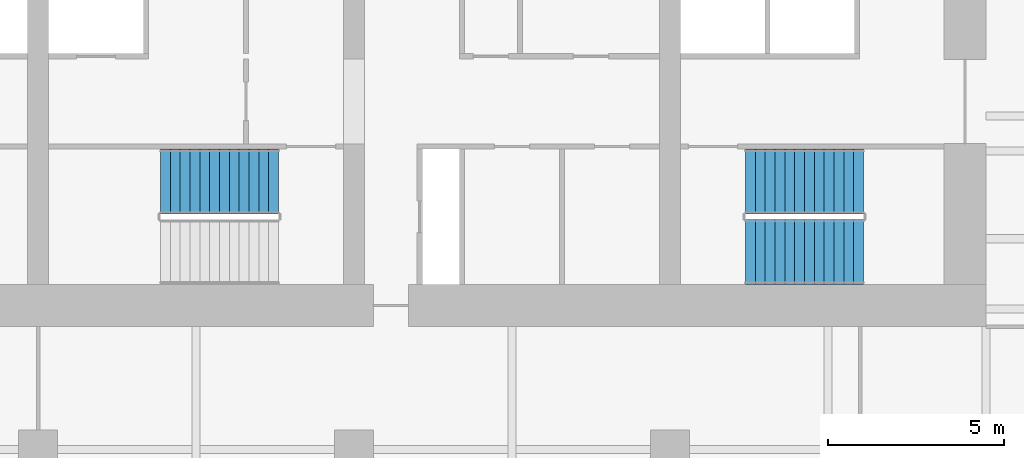
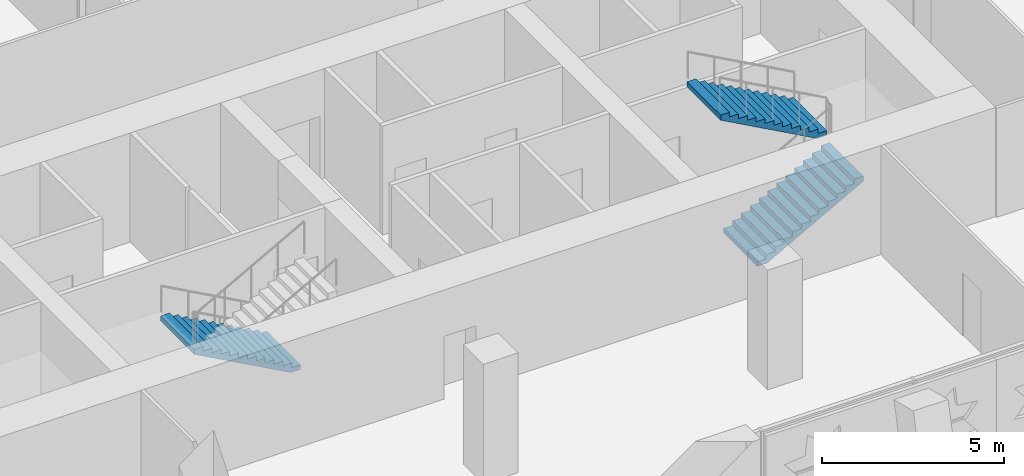
# One storey, part 18 of 26: 3 stair flights, 2 elements without a shape of their own.
"""IFC4 building model written with IfcOpenShell, lengths in metres."""

import ifcopenshell
import ifcopenshell.guid

model = None  # the IFC model being written
_history = None  # IfcOwnerHistory: only IFC2X3 demands one
_inside = {}  # id of a spatial element -> (the spatial element, [elements in it])
_under = {}  # id of a project, library or spatial element -> (it, [spatial elements below it])
_declared = {}  # id of a project -> (the project, [libraries it declares])
_typed = {}  # id of a type object -> (the type object, [elements of that type])
_made_of = {}  # id of a material, layer set ... -> (it, [elements and type objects made of it])


def new_model(schema):
    """Start an empty IFC model of exactly this schema.

    Asked for "IFC4X3", IfcOpenShell would pick the latest addendum, in which some entities
    have other attributes; the version numbers below select the first issue.
    IFC2X3 requires an IfcOwnerHistory on every rooted entity: one is made here for all.
    """
    global model, _history
    if schema == "IFC4X3":
        model = ifcopenshell.file(schema_version=(4, 3, 0, 0))
    else:
        model = ifcopenshell.file(schema=schema)
    _inside.clear()
    _under.clear()
    _declared.clear()
    _typed.clear()
    _made_of.clear()
    _history = None
    if model.schema == "IFC2X3":
        org = make("IfcOrganization", Name="unknown")
        user = make(
            "IfcPersonAndOrganization",
            ThePerson=make("IfcPerson", FamilyName="unknown"),
            TheOrganization=org,
        )
        app = make(
            "IfcApplication",
            ApplicationDeveloper=org,
            Version="unknown",
            ApplicationFullName="unknown",
            ApplicationIdentifier="unknown",
        )
        _history = make(
            "IfcOwnerHistory",
            OwningUser=user,
            OwningApplication=app,
            ChangeAction="ADDED",
            CreationDate=0,
        )
    return model


def make(cls, **values):
    """One entity of the class cls with the attributes given. An attribute that is None is left unset."""
    return model.create_entity(
        cls, **{name: value for name, value in values.items() if value is not None}
    )


def rooted(cls, **values):
    """An entity with a GlobalId (a new one), such as an element, a storey or a relation."""
    return make(cls, GlobalId=ifcopenshell.guid.new(), OwnerHistory=_history, **values)


def si_unit(unit_type, name, prefix=None):
    """IfcSIUnit, for example si_unit("LENGTHUNIT", "METRE", prefix="MILLI")."""
    return make("IfcSIUnit", UnitType=unit_type, Prefix=prefix, Name=name)


def assignment(units):
    """IfcUnitAssignment: the units of a project."""
    return None if units is None else make("IfcUnitAssignment", Units=units)


def point(xyz):
    """IfcCartesianPoint."""
    return None if xyz is None else make("IfcCartesianPoint", Coordinates=xyz)


def direction(xyz):
    """IfcDirection."""
    return None if xyz is None else make("IfcDirection", DirectionRatios=xyz)


def frame(location, z_axis=None, x_axis=None):
    """IfcAxis2Placement3D, a coordinate frame: its origin and axes. An axis left out is left unset."""
    return make(
        "IfcAxis2Placement3D",
        Location=point(location),
        Axis=direction(z_axis),
        RefDirection=direction(x_axis),
    )


def origin():
    """The frame at (0, 0, 0) with its axes left unset."""
    return frame((0.0, 0.0, 0.0))


def place(relative_to, where):
    """IfcLocalPlacement: puts the frame where relative to a parent placement (None: the world)."""
    return make(
        "IfcLocalPlacement", PlacementRelTo=relative_to, RelativePlacement=where
    )


def context(
    kind, dimensions, precision=None, world=None, true_north=None, identifier=None
):
    """IfcGeometricRepresentationContext, for example the 3D "Model" context."""
    return make(
        "IfcGeometricRepresentationContext",
        ContextIdentifier=identifier,
        ContextType=kind,
        CoordinateSpaceDimension=dimensions,
        Precision=precision,
        WorldCoordinateSystem=world,
        TrueNorth=true_north,
    )


def subcontext(parent, identifier, kind, view, scale=None):
    """IfcGeometricRepresentationSubContext, for example "Body" below "Model"."""
    return make(
        "IfcGeometricRepresentationSubContext",
        ContextIdentifier=identifier,
        ContextType=kind,
        ParentContext=parent,
        TargetScale=scale,
        TargetView=view,
    )


def project(units=None, contexts=None):
    """IfcProject with its units and contexts."""
    return rooted(
        "IfcProject",
        Name="project",
        RepresentationContexts=contexts,
        UnitsInContext=assignment(units),
    )


def spatial(cls, under=None, at=None, **own):
    """A site, building, storey or space (cls), placed at a placement, below another one or the project."""
    s = rooted(cls, ObjectPlacement=at, **own)
    if under is not None:
        _under.setdefault(under.id(), (under, []))[1].append(s)
    return s


def polyline(points):
    """IfcPolyline through the points."""
    return make("IfcPolyline", Points=[point(p) for p in points])


def outline(outer, holes=None, kind="AREA"):
    """IfcArbitraryClosedProfileDef: a profile drawn as a closed curve; with holes, ...WithVoids."""
    if holes is None:
        return make("IfcArbitraryClosedProfileDef", ProfileType=kind, OuterCurve=outer)
    return make(
        "IfcArbitraryProfileDefWithVoids",
        ProfileType=kind,
        OuterCurve=outer,
        InnerCurves=holes,
    )


def extrude(swept, where, along, depth):
    """IfcExtrudedAreaSolid: the profile swept, set in the frame where, extruded along a direction by depth."""
    return make(
        "IfcExtrudedAreaSolid",
        SweptArea=swept,
        Position=where,
        ExtrudedDirection=direction(along),
        Depth=depth,
    )


def shape(context_of_items, identifier, shape_type, items):
    """IfcShapeRepresentation: the items that make up one representation, for example the "Body"."""
    return make(
        "IfcShapeRepresentation",
        ContextOfItems=context_of_items,
        RepresentationIdentifier=identifier,
        RepresentationType=shape_type,
        Items=items,
    )


def material(Name=None, Category=None):
    """IfcMaterial."""
    return make("IfcMaterial", Name=Name, Category=Category)


def made_of(thing, what):
    """Note that an element or type object is made of a material, layer set ...; save() writes the relation."""
    if what is not None:
        _made_of.setdefault(what.id(), (what, []))[1].append(thing)
    return thing


def type_object(cls, material=None, **own):
    """A type object (cls), such as IfcWallType, which elements share."""
    return made_of(rooted(cls, **own), material)


def element(
    cls,
    number,
    at=None,
    inside=None,
    cuts=None,
    type_object=None,
    material=None,
    context=None,
    identifier="Body",
    shape_type=None,
    held_by="IfcProductDefinitionShape",
    body=None,
    shapes=None,
    **own,
):
    """One element of the class cls, such as IfcWall. Its Tag is "e" and its number.

    at: its placement. inside: the storey or other place that contains it. cuts: it is an
    opening in that element (IfcRelVoidsElement). A single representation is given by context,
    identifier, shape_type and body (its items); several are given by shapes. held_by: the class
    of the entity that holds the representations. save() writes the other relations.
    """
    e = rooted(cls, Tag="e%d" % number, ObjectPlacement=at, **own)
    if body is not None:
        shapes = [shape(context, identifier, shape_type, body)]
    if shapes is not None:
        e.Representation = make(held_by, Representations=shapes)
    if inside is not None:
        _inside.setdefault(inside.id(), (inside, []))[1].append(e)
    if cuts is not None:
        rooted(
            "IfcRelVoidsElement", RelatingBuildingElement=cuts, RelatedOpeningElement=e
        )
    if type_object is not None:
        _typed.setdefault(type_object.id(), (type_object, []))[1].append(e)
    return made_of(e, material)


def aggregate(whole, parts):
    """IfcRelAggregates: a whole, such as a stair, and the parts it consists of."""
    return rooted("IfcRelAggregates", RelatingObject=whole, RelatedObjects=parts)


def save(model, path):
    """Write the relations noted so far, then the file.

    IfcRelAggregates (storeys below a building ...), IfcRelContainedInSpatialStructure (elements
    in a storey), IfcRelDefinesByType, IfcRelAssociatesMaterial and IfcRelDeclares: one each for
    every whole, place, type object, material and project.
    """
    for whole, parts in _under.values():
        aggregate(whole, parts)
    for where, things in _inside.values():
        rooted(
            "IfcRelContainedInSpatialStructure",
            RelatedElements=things,
            RelatingStructure=where,
        )
    for kind, things in _typed.values():
        rooted("IfcRelDefinesByType", RelatedObjects=things, RelatingType=kind)
    for what, things in _made_of.values():
        rooted("IfcRelAssociatesMaterial", RelatedObjects=things, RelatingMaterial=what)
    for by, libraries in _declared.values():
        rooted("IfcRelDeclares", RelatingContext=by, RelatedDefinitions=libraries)
    model.write(path)


model = new_model("IFC4")

# Units and contexts
model_context = context("Model", 3, precision=1e-05, world=origin(), true_north=direction((0.0, 1.0)))
body_context = subcontext(model_context, "Body", "Model", "MODEL_VIEW")
ifc_project = project(units=[si_unit("LENGTHUNIT", "METRE"), si_unit("AREAUNIT", "SQUARE_METRE"), si_unit("VOLUMEUNIT", "CUBIC_METRE"), si_unit("PLANEANGLEUNIT", "RADIAN"), si_unit("MASSUNIT", "GRAM", prefix="KILO")], contexts=[model_context])

# Site, building, storey
site_placement = place(None, origin())
site = spatial("IfcSite", under=ifc_project, at=site_placement, CompositionType="ELEMENT")
building_placement = place(site_placement, origin())
building = spatial("IfcBuilding", under=site, at=building_placement, Name="Zellij Exchange Tower", CompositionType="ELEMENT")
storey_placement = place(building_placement, frame((0.0, 0.0, 100.5)))
storey = spatial("IfcBuildingStorey", under=building, at=storey_placement, Name="L21", CompositionType="ELEMENT", Elevation=100.5)

# Stair, stair flight
ifc_material = material(Name="Concrete C40/50", Category="concrete")
stair_type = type_object("IfcStairType", Name="CORE-ST exit stair 1850 wide", PredefinedType="HALF_TURN_STAIR", material=ifc_material)
stair_1_placement = place(storey_placement, origin())
stair_1 = element("IfcStair", 1, at=stair_1_placement, inside=storey, type_object=stair_type, Name="L21 exit stair ST3", PredefinedType="HALF_TURN_STAIR")
stair_flight_type = type_object("IfcStairFlightType", Name="CORE-SF flight 1850 riser 153.8 going 280", PredefinedType="STRAIGHT", material=ifc_material)
stair_flight_1_placement = place(storey_placement, frame((6.85009765625, -9.875, 0.0), z_axis=(0.0, 0.0, 1.0), x_axis=(-1.0, 0.0, 0.0)))
stair_flight_1 = element("IfcStairFlight", 2, at=stair_flight_1_placement, type_object=stair_flight_type, Name="ST3 flight 1", NumberOfRisers=13, NumberOfTreads=12, PredefinedType="STRAIGHT", RiserHeight=0.153846154, TreadLength=0.28, context=body_context, shape_type="SweptSolid", body=[
    extrude(outline(polyline([(0.0, 0.0), (0.0, 0.15380859375), (0.280029296875, 0.15380859375), (0.280029296875, 0.3076171875), (0.56005859375, 0.3076171875), (0.56005859375, 0.46142578125), (0.840087890625, 0.46142578125), (0.840087890625, 0.615478515625), (1.1201171875, 0.615478515625), (1.1201171875, 0.769287109375), (1.39990234375, 0.769287109375), (1.39990234375, 0.923095703125), (1.679931640625, 0.923095703125), (1.679931640625, 1.076904296875), (1.9599609375, 1.076904296875), (1.9599609375, 1.230712890625), (2.239990234375, 1.230712890625), (2.239990234375, 1.384521484375), (2.52001953125, 1.384521484375), (2.52001953125, 1.53857421875), (2.800048828125, 1.53857421875), (2.800048828125, 1.6923828125), (3.080078125, 1.6923828125), (3.080078125, 1.84619140625), (3.360107421875, 1.84619140625), (3.360107421875, 2.0), (3.360107421875, 1.675048828125), (0.311279296875, 0.0), (0.0, 0.0)])), frame((0.0, 0.925048828125, 0.0), z_axis=(0.0, -1.0, 0.0), x_axis=(1.0, 0.0, 0.0)), (0.0, 0.0, 1.0), 1.85009765625),
])
aggregate(stair_1, [stair_flight_1])

# Stair, stair flights
stair_2_placement = place(storey_placement, origin())
stair_2 = element("IfcStair", 3, at=stair_2_placement, inside=storey, type_object=stair_type, Name="L21 exit stair ST4", PredefinedType="HALF_TURN_STAIR")
stair_flight_2_placement = place(storey_placement, frame((20.14990234375, -11.875, 0.0), z_axis=(0.0, 0.0, 1.0), x_axis=(1.0, 0.0, 0.0)))
stair_flight_2 = element("IfcStairFlight", 4, at=stair_flight_2_placement, type_object=stair_flight_type, Name="ST4 flight 1", NumberOfRisers=13, NumberOfTreads=12, PredefinedType="STRAIGHT", RiserHeight=0.153846154, TreadLength=0.28, context=body_context, shape_type="SweptSolid", body=[
    extrude(outline(polyline([(0.0, 0.0), (0.0, 0.15380859375), (0.280029296875, 0.15380859375), (0.280029296875, 0.3076171875), (0.56005859375, 0.3076171875), (0.56005859375, 0.46142578125), (0.840087890625, 0.46142578125), (0.840087890625, 0.615478515625), (1.1201171875, 0.615478515625), (1.1201171875, 0.769287109375), (1.39990234375, 0.769287109375), (1.39990234375, 0.923095703125), (1.679931640625, 0.923095703125), (1.679931640625, 1.076904296875), (1.9599609375, 1.076904296875), (1.9599609375, 1.230712890625), (2.239990234375, 1.230712890625), (2.239990234375, 1.384521484375), (2.52001953125, 1.384521484375), (2.52001953125, 1.53857421875), (2.800048828125, 1.53857421875), (2.800048828125, 1.6923828125), (3.080078125, 1.6923828125), (3.080078125, 1.84619140625), (3.360107421875, 1.84619140625), (3.360107421875, 2.0), (3.360107421875, 1.675048828125), (0.311279296875, 0.0), (0.0, 0.0)])), frame((0.0, 0.925048828125, 0.0), z_axis=(0.0, -1.0, 0.0), x_axis=(1.0, 0.0, 0.0)), (0.0, 0.0, 1.0), 1.85009765625),
])
stair_flight_3_placement = place(storey_placement, frame((23.510009765625, -9.875, 2.0), z_axis=(0.0, 0.0, 1.0), x_axis=(-1.0, 0.0, 0.0)))
stair_flight_3 = element("IfcStairFlight", 5, at=stair_flight_3_placement, type_object=stair_flight_type, Name="ST4 flight 2", NumberOfRisers=13, NumberOfTreads=12, PredefinedType="STRAIGHT", RiserHeight=0.153846154, TreadLength=0.28, context=body_context, shape_type="SweptSolid", body=[
    extrude(outline(polyline([(0.0, 0.0), (0.0, 0.15380859375), (0.280029296875, 0.15380859375), (0.280029296875, 0.3076171875), (0.56005859375, 0.3076171875), (0.56005859375, 0.46142578125), (0.840087890625, 0.46142578125), (0.840087890625, 0.615478515625), (1.1201171875, 0.615478515625), (1.1201171875, 0.769287109375), (1.39990234375, 0.769287109375), (1.39990234375, 0.923095703125), (1.679931640625, 0.923095703125), (1.679931640625, 1.076904296875), (1.9599609375, 1.076904296875), (1.9599609375, 1.230712890625), (2.239990234375, 1.230712890625), (2.239990234375, 1.384521484375), (2.52001953125, 1.384521484375), (2.52001953125, 1.53857421875), (2.800048828125, 1.53857421875), (2.800048828125, 1.6923828125), (3.080078125, 1.6923828125), (3.080078125, 1.84619140625), (3.360107421875, 1.84619140625), (3.360107421875, 2.0), (3.360107421875, 1.675048828125), (0.311279296875, 0.0), (0.0, 0.0)])), frame((0.0, 0.925048828125, 0.0), z_axis=(0.0, -1.0, 0.0), x_axis=(1.0, 0.0, 0.0)), (0.0, 0.0, 1.0), 1.85009765625),
])
aggregate(stair_2, [stair_flight_2, stair_flight_3])

save(model, "model.ifc")
